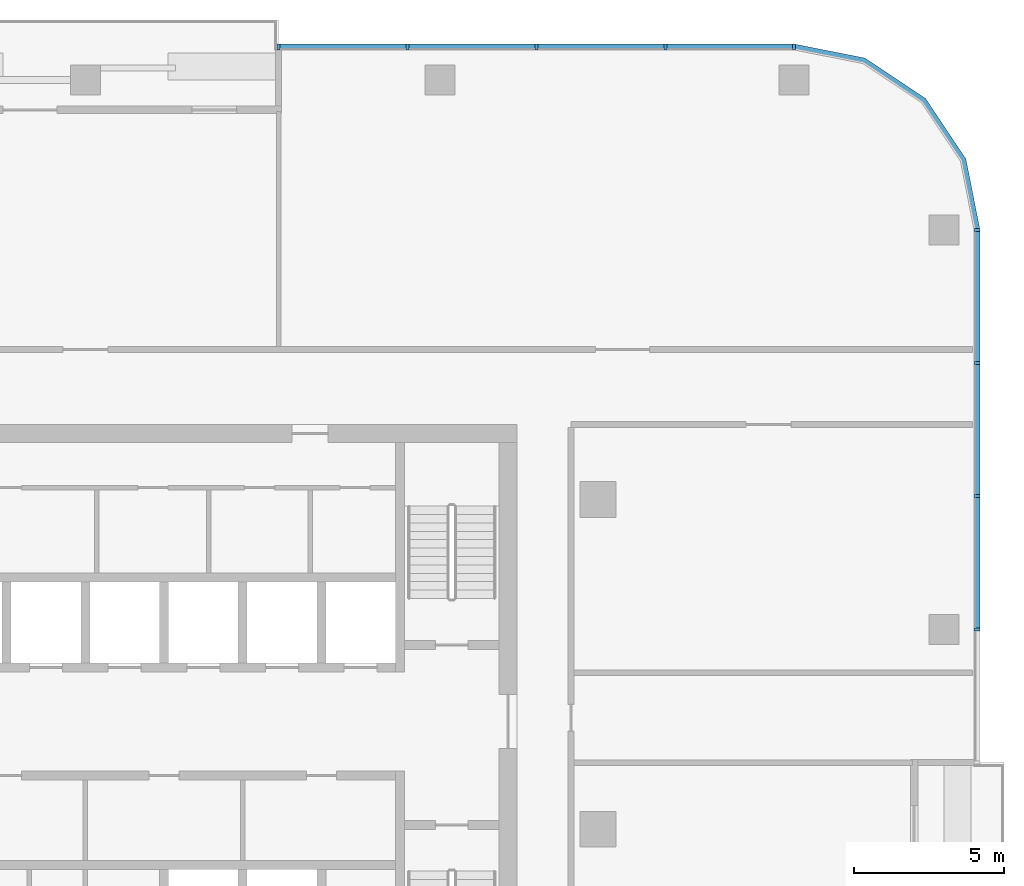
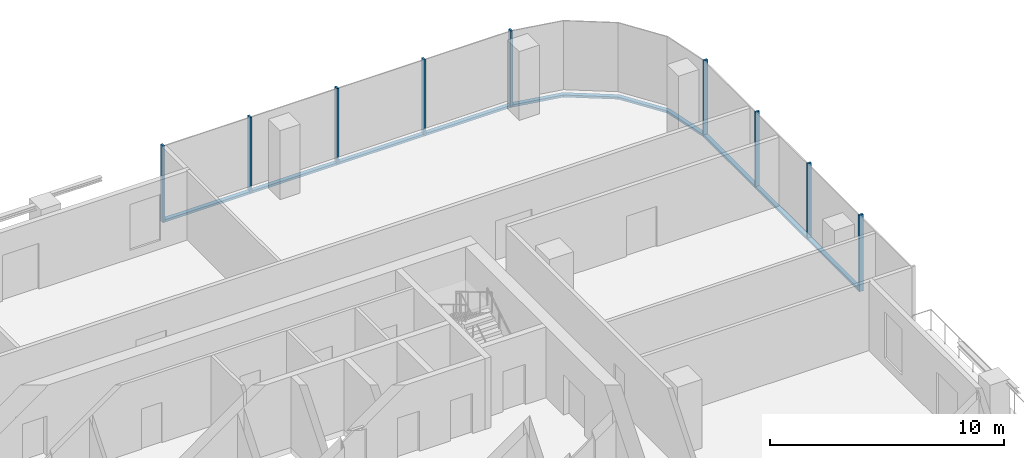
# One storey, part 5 of 13: 17 members, 3 elements without a shape of their own.
"""IFC4 building model written with IfcOpenShell, lengths in metres."""

import ifcopenshell
import ifcopenshell.guid

model = None  # the IFC model being written
_history = None  # IfcOwnerHistory: only IFC2X3 demands one
_inside = {}  # id of a spatial element -> (the spatial element, [elements in it])
_under = {}  # id of a project, library or spatial element -> (it, [spatial elements below it])
_declared = {}  # id of a project -> (the project, [libraries it declares])
_typed = {}  # id of a type object -> (the type object, [elements of that type])
_made_of = {}  # id of a material, layer set ... -> (it, [elements and type objects made of it])


def new_model(schema):
    """Start an empty IFC model of exactly this schema.

    Asked for "IFC4X3", IfcOpenShell would pick the latest addendum, in which some entities
    have other attributes; the version numbers below select the first issue.
    IFC2X3 requires an IfcOwnerHistory on every rooted entity: one is made here for all.
    """
    global model, _history
    if schema == "IFC4X3":
        model = ifcopenshell.file(schema_version=(4, 3, 0, 0))
    else:
        model = ifcopenshell.file(schema=schema)
    _inside.clear()
    _under.clear()
    _declared.clear()
    _typed.clear()
    _made_of.clear()
    _history = None
    if model.schema == "IFC2X3":
        org = make("IfcOrganization", Name="unknown")
        user = make(
            "IfcPersonAndOrganization",
            ThePerson=make("IfcPerson", FamilyName="unknown"),
            TheOrganization=org,
        )
        app = make(
            "IfcApplication",
            ApplicationDeveloper=org,
            Version="unknown",
            ApplicationFullName="unknown",
            ApplicationIdentifier="unknown",
        )
        _history = make(
            "IfcOwnerHistory",
            OwningUser=user,
            OwningApplication=app,
            ChangeAction="ADDED",
            CreationDate=0,
        )
    return model


def make(cls, **values):
    """One entity of the class cls with the attributes given. An attribute that is None is left unset."""
    return model.create_entity(
        cls, **{name: value for name, value in values.items() if value is not None}
    )


def rooted(cls, **values):
    """An entity with a GlobalId (a new one), such as an element, a storey or a relation."""
    return make(cls, GlobalId=ifcopenshell.guid.new(), OwnerHistory=_history, **values)


def si_unit(unit_type, name, prefix=None):
    """IfcSIUnit, for example si_unit("LENGTHUNIT", "METRE", prefix="MILLI")."""
    return make("IfcSIUnit", UnitType=unit_type, Prefix=prefix, Name=name)


def assignment(units):
    """IfcUnitAssignment: the units of a project."""
    return None if units is None else make("IfcUnitAssignment", Units=units)


def point(xyz):
    """IfcCartesianPoint."""
    return None if xyz is None else make("IfcCartesianPoint", Coordinates=xyz)


def direction(xyz):
    """IfcDirection."""
    return None if xyz is None else make("IfcDirection", DirectionRatios=xyz)


def frame(location, z_axis=None, x_axis=None):
    """IfcAxis2Placement3D, a coordinate frame: its origin and axes. An axis left out is left unset."""
    return make(
        "IfcAxis2Placement3D",
        Location=point(location),
        Axis=direction(z_axis),
        RefDirection=direction(x_axis),
    )


def frame_2d(location, x_axis=None):
    """IfcAxis2Placement2D, a coordinate frame in the plane: its origin and x axis."""
    return make(
        "IfcAxis2Placement2D", Location=point(location), RefDirection=direction(x_axis)
    )


def origin():
    """The frame at (0, 0, 0) with its axes left unset."""
    return frame((0.0, 0.0, 0.0))


def origin_2d():
    """The frame at (0, 0) in the plane with its x axis left unset."""
    return frame_2d((0.0, 0.0))


def place(relative_to, where):
    """IfcLocalPlacement: puts the frame where relative to a parent placement (None: the world)."""
    return make(
        "IfcLocalPlacement", PlacementRelTo=relative_to, RelativePlacement=where
    )


def context(
    kind, dimensions, precision=None, world=None, true_north=None, identifier=None
):
    """IfcGeometricRepresentationContext, for example the 3D "Model" context."""
    return make(
        "IfcGeometricRepresentationContext",
        ContextIdentifier=identifier,
        ContextType=kind,
        CoordinateSpaceDimension=dimensions,
        Precision=precision,
        WorldCoordinateSystem=world,
        TrueNorth=true_north,
    )


def subcontext(parent, identifier, kind, view, scale=None):
    """IfcGeometricRepresentationSubContext, for example "Body" below "Model"."""
    return make(
        "IfcGeometricRepresentationSubContext",
        ContextIdentifier=identifier,
        ContextType=kind,
        ParentContext=parent,
        TargetScale=scale,
        TargetView=view,
    )


def project(units=None, contexts=None):
    """IfcProject with its units and contexts."""
    return rooted(
        "IfcProject",
        Name="project",
        RepresentationContexts=contexts,
        UnitsInContext=assignment(units),
    )


def spatial(cls, under=None, at=None, **own):
    """A site, building, storey or space (cls), placed at a placement, below another one or the project."""
    s = rooted(cls, ObjectPlacement=at, **own)
    if under is not None:
        _under.setdefault(under.id(), (under, []))[1].append(s)
    return s


def polyline(points):
    """IfcPolyline through the points."""
    return make("IfcPolyline", Points=[point(p) for p in points])


def profile(cls, at=None, kind="AREA", **sizes):
    """A parametric profile (cls). Its sizes go by their IFC names, for example OverallWidth=200.0."""
    return make(cls, ProfileType=kind, Position=at, **sizes)


def rectangle(**sizes):
    """IfcRectangleProfileDef."""
    return profile("IfcRectangleProfileDef", **sizes)


def outline(outer, holes=None, kind="AREA"):
    """IfcArbitraryClosedProfileDef: a profile drawn as a closed curve; with holes, ...WithVoids."""
    if holes is None:
        return make("IfcArbitraryClosedProfileDef", ProfileType=kind, OuterCurve=outer)
    return make(
        "IfcArbitraryProfileDefWithVoids",
        ProfileType=kind,
        OuterCurve=outer,
        InnerCurves=holes,
    )


def extrude(swept, where, along, depth):
    """IfcExtrudedAreaSolid: the profile swept, set in the frame where, extruded along a direction by depth."""
    return make(
        "IfcExtrudedAreaSolid",
        SweptArea=swept,
        Position=where,
        ExtrudedDirection=direction(along),
        Depth=depth,
    )


def shape(context_of_items, identifier, shape_type, items):
    """IfcShapeRepresentation: the items that make up one representation, for example the "Body"."""
    return make(
        "IfcShapeRepresentation",
        ContextOfItems=context_of_items,
        RepresentationIdentifier=identifier,
        RepresentationType=shape_type,
        Items=items,
    )


def material(Name=None, Category=None):
    """IfcMaterial."""
    return make("IfcMaterial", Name=Name, Category=Category)


def material_profile(
    of_material, cross_section, Name=None, Category=None, Priority=None
):
    """IfcMaterialProfile: a cross section and its material."""
    return make(
        "IfcMaterialProfile",
        Name=Name,
        Material=of_material,
        Profile=cross_section,
        Priority=Priority,
        Category=Category,
    )


def profile_set(profiles, Name=None, composite=None):
    """IfcMaterialProfileSet."""
    return make(
        "IfcMaterialProfileSet",
        Name=Name,
        MaterialProfiles=profiles,
        CompositeProfile=composite,
    )


def made_of(thing, what):
    """Note that an element or type object is made of a material, layer set ...; save() writes the relation."""
    if what is not None:
        _made_of.setdefault(what.id(), (what, []))[1].append(thing)
    return thing


def type_object(cls, material=None, **own):
    """A type object (cls), such as IfcWallType, which elements share."""
    return made_of(rooted(cls, **own), material)


def element(
    cls,
    number,
    at=None,
    inside=None,
    cuts=None,
    type_object=None,
    material=None,
    context=None,
    identifier="Body",
    shape_type=None,
    held_by="IfcProductDefinitionShape",
    body=None,
    shapes=None,
    **own,
):
    """One element of the class cls, such as IfcWall. Its Tag is "e" and its number.

    at: its placement. inside: the storey or other place that contains it. cuts: it is an
    opening in that element (IfcRelVoidsElement). A single representation is given by context,
    identifier, shape_type and body (its items); several are given by shapes. held_by: the class
    of the entity that holds the representations. save() writes the other relations.
    """
    e = rooted(cls, Tag="e%d" % number, ObjectPlacement=at, **own)
    if body is not None:
        shapes = [shape(context, identifier, shape_type, body)]
    if shapes is not None:
        e.Representation = make(held_by, Representations=shapes)
    if inside is not None:
        _inside.setdefault(inside.id(), (inside, []))[1].append(e)
    if cuts is not None:
        rooted(
            "IfcRelVoidsElement", RelatingBuildingElement=cuts, RelatedOpeningElement=e
        )
    if type_object is not None:
        _typed.setdefault(type_object.id(), (type_object, []))[1].append(e)
    return made_of(e, material)


def aggregate(whole, parts):
    """IfcRelAggregates: a whole, such as a stair, and the parts it consists of."""
    return rooted("IfcRelAggregates", RelatingObject=whole, RelatedObjects=parts)


def save(model, path):
    """Write the relations noted so far, then the file.

    IfcRelAggregates (storeys below a building ...), IfcRelContainedInSpatialStructure (elements
    in a storey), IfcRelDefinesByType, IfcRelAssociatesMaterial and IfcRelDeclares: one each for
    every whole, place, type object, material and project.
    """
    for whole, parts in _under.values():
        aggregate(whole, parts)
    for where, things in _inside.values():
        rooted(
            "IfcRelContainedInSpatialStructure",
            RelatedElements=things,
            RelatingStructure=where,
        )
    for kind, things in _typed.values():
        rooted("IfcRelDefinesByType", RelatedObjects=things, RelatingType=kind)
    for what, things in _made_of.values():
        rooted("IfcRelAssociatesMaterial", RelatedObjects=things, RelatingMaterial=what)
    for by, libraries in _declared.values():
        rooted("IfcRelDeclares", RelatingContext=by, RelatedDefinitions=libraries)
    model.write(path)


model = new_model("IFC4")

# Units and contexts
model_context = context("Model", 3, precision=1e-05, world=origin(), true_north=direction((0.0, 1.0)))
body_context = subcontext(model_context, "Body", "Model", "MODEL_VIEW")
ifc_project = project(units=[si_unit("LENGTHUNIT", "METRE"), si_unit("AREAUNIT", "SQUARE_METRE"), si_unit("VOLUMEUNIT", "CUBIC_METRE"), si_unit("PLANEANGLEUNIT", "RADIAN"), si_unit("MASSUNIT", "GRAM", prefix="KILO")], contexts=[model_context])

# Site, building, storey
site_placement = place(None, origin())
site = spatial("IfcSite", under=ifc_project, at=site_placement, CompositionType="ELEMENT")
building_placement = place(site_placement, origin())
building = spatial("IfcBuilding", under=site, at=building_placement, Name="Mopane Tessera Tower", CompositionType="ELEMENT")
storey_placement = place(building_placement, frame((0.0, 0.0, 275.39990234375)))
storey = spatial("IfcBuildingStorey", under=building, at=storey_placement, Name="L59", CompositionType="ELEMENT", Elevation=275.39990234375)

# Curtain wall, members
ifc_material_1 = material(Name="Aluminium frame", Category="aluminium")
curtain_wall_type = type_object("IfcCurtainWallType", Name="Unitised curtain wall", PredefinedType="NOTDEFINED", material=ifc_material_1)
curtain_wall_1_placement = place(storey_placement, origin())
curtain_wall_1 = element("IfcCurtainWall", 1, at=curtain_wall_1_placement, inside=storey, type_object=curtain_wall_type, Name="e:cw:L59:E:5", PredefinedType="NOTDEFINED")
ifc_material_2 = material(Name="Aluminium frame", Category="aluminium")
ifc_material_profile_1 = material_profile(ifc_material_2, rectangle(XDim=0.10009765625, YDim=0.199951171875, at=origin_2d()))
ifc_profile_set_1 = profile_set([ifc_material_profile_1], Name="Aluminium frame")
member_type_1 = type_object("IfcMemberType", Name="Aluminium mullion 100 x 200", PredefinedType="MULLION", material=ifc_profile_set_1)
member_1_placement = place(storey_placement, frame((29.75, 6.666748046875, -0.39990234375), z_axis=(0.0, 0.0, 1.0), x_axis=(0.0, 1.0, 0.0)))
member_1 = element("IfcMember", 2, at=member_1_placement, type_object=member_type_1, Name="e:cw:L59:E:5:mu6", PredefinedType="MULLION", context=body_context, shape_type="SweptSolid", body=[
    extrude(rectangle(XDim=0.10009765625, YDim=0.199951171875, at=origin_2d()), origin(), (0.0, 0.0, 1.0), 4.0),
])
member_2_placement = place(storey_placement, frame((29.75, 11.111083984375, -0.39990234375), z_axis=(0.0, 0.0, 1.0), x_axis=(0.0, 1.0, 0.0)))
member_2 = element("IfcMember", 3, at=member_2_placement, type_object=member_type_1, Name="e:cw:L59:E:5:mu7", PredefinedType="MULLION", context=body_context, shape_type="SweptSolid", body=[
    extrude(rectangle(XDim=0.10009765625, YDim=0.199951171875, at=origin_2d()), origin(), (0.0, 0.0, 1.0), 4.0),
])
member_3_placement = place(storey_placement, frame((29.75, 15.5556640625, -0.39990234375), z_axis=(0.0, 0.0, 1.0), x_axis=(0.0, 1.0, 0.0)))
member_3 = element("IfcMember", 4, at=member_3_placement, type_object=member_type_1, Name="e:cw:L59:E:5:mu8", PredefinedType="MULLION", context=body_context, shape_type="SweptSolid", body=[
    extrude(rectangle(XDim=0.10009765625, YDim=0.199951171875, at=origin_2d()), origin(), (0.0, 0.0, 1.0), 4.0),
])
member_4_placement = place(storey_placement, frame((29.75, 20.0, -0.39990234375), z_axis=(0.0, 0.0, 1.0), x_axis=(0.0, 1.0, 0.0)))
member_4 = element("IfcMember", 5, at=member_4_placement, type_object=member_type_1, Name="e:cw:L59:E:5:mu9", PredefinedType="MULLION", context=body_context, shape_type="SweptSolid", body=[
    extrude(rectangle(XDim=0.10009765625, YDim=0.199951171875, at=origin_2d()), origin(), (0.0, 0.0, 1.0), 4.0),
])

curtain_wall_2_placement = place(storey_placement, origin())
curtain_wall_2 = element("IfcCurtainWall", 6, at=curtain_wall_2_placement, inside=storey, type_object=curtain_wall_type, Name="e:cw:L59:N:0", PredefinedType="NOTDEFINED")
member_5_placement = place(storey_placement, frame((23.64990234375, 26.10009765625, -0.39990234375), z_axis=(0.0, 0.0, 1.0), x_axis=(-1.0, 0.0, 0.0)))
member_5 = element("IfcMember", 7, at=member_5_placement, type_object=member_type_1, Name="e:cw:L59:N:0:mu0", PredefinedType="MULLION", context=body_context, shape_type="SweptSolid", body=[
    extrude(rectangle(XDim=0.10009765625, YDim=0.199951171875, at=origin_2d()), origin(), (0.0, 0.0, 1.0), 4.0),
])
member_6_placement = place(storey_placement, frame((19.35009765625, 26.10009765625, -0.39990234375), z_axis=(0.0, 0.0, 1.0), x_axis=(-1.0, 0.0, 0.0)))
member_6 = element("IfcMember", 8, at=member_6_placement, type_object=member_type_1, Name="e:cw:L59:N:0:mu1", PredefinedType="MULLION", context=body_context, shape_type="SweptSolid", body=[
    extrude(rectangle(XDim=0.10009765625, YDim=0.199951171875, at=origin_2d()), origin(), (0.0, 0.0, 1.0), 4.0),
])
member_7_placement = place(storey_placement, frame((15.050048828125, 26.10009765625, -0.39990234375), z_axis=(0.0, 0.0, 1.0), x_axis=(-1.0, 0.0, 0.0)))
member_7 = element("IfcMember", 9, at=member_7_placement, type_object=member_type_1, Name="e:cw:L59:N:0:mu2", PredefinedType="MULLION", context=body_context, shape_type="SweptSolid", body=[
    extrude(rectangle(XDim=0.10009765625, YDim=0.199951171875, at=origin_2d()), origin(), (0.0, 0.0, 1.0), 4.0),
])
member_8_placement = place(storey_placement, frame((10.75, 26.10009765625, -0.39990234375), z_axis=(0.0, 0.0, 1.0), x_axis=(-1.0, 0.0, 0.0)))
member_8 = element("IfcMember", 10, at=member_8_placement, type_object=member_type_1, Name="e:cw:L59:N:0:mu3", PredefinedType="MULLION", context=body_context, shape_type="SweptSolid", body=[
    extrude(rectangle(XDim=0.10009765625, YDim=0.199951171875, at=origin_2d()), origin(), (0.0, 0.0, 1.0), 4.0),
])
member_9_placement = place(storey_placement, frame((6.449951171875, 26.10009765625, -0.39990234375), z_axis=(0.0, 0.0, 1.0), x_axis=(-1.0, 0.0, 0.0)))
member_9 = element("IfcMember", 11, at=member_9_placement, type_object=member_type_1, Name="e:cw:L59:N:0:mu4", PredefinedType="MULLION", context=body_context, shape_type="SweptSolid", body=[
    extrude(rectangle(XDim=0.10009765625, YDim=0.199951171875, at=origin_2d()), origin(), (0.0, 0.0, 1.0), 4.0),
])

# Member
ifc_material_3 = material(Name="Aluminium frame", Category="aluminium")
ifc_material_profile_2 = material_profile(ifc_material_3, rectangle(XDim=0.199951171875, YDim=0.1201171875, at=origin_2d()))
ifc_profile_set_2 = profile_set([ifc_material_profile_2], Name="Aluminium frame")
member_type_2 = type_object("IfcMemberType", Name="Aluminium transom 200 x 120", PredefinedType="USERDEFINED", material=ifc_profile_set_2)
member_10_placement = place(storey_placement, frame((29.75, 6.716552734375, -0.33984375), z_axis=(0.0, 1.0, 0.0), x_axis=(-1.0, 0.0, 0.0)))
member_10 = element("IfcMember", 12, at=member_10_placement, type_object=member_type_2, Name="e:cw:L59:E:5:tr6", ObjectType="TRANSOM", PredefinedType="USERDEFINED", context=body_context, shape_type="SweptSolid", body=[
    extrude(rectangle(XDim=0.199951171875, YDim=0.1201171875, at=origin_2d()), origin(), (0.0, 0.0, 1.0), 4.344482421875),
])

member_11_placement = place(storey_placement, frame((29.75, 11.1611328125, -0.33984375), z_axis=(0.0, 1.0, 0.0), x_axis=(-1.0, 0.0, 0.0)))
member_11 = element("IfcMember", 13, at=member_11_placement, type_object=member_type_2, Name="e:cw:L59:E:5:tr7", ObjectType="TRANSOM", PredefinedType="USERDEFINED", context=body_context, shape_type="SweptSolid", body=[
    extrude(rectangle(XDim=0.199951171875, YDim=0.1201171875, at=origin_2d()), origin(), (0.0, 0.0, 1.0), 4.344482421875),
])

member_12_placement = place(storey_placement, frame((29.75, 15.60546875, -0.33984375), z_axis=(0.0, 1.0, 0.0), x_axis=(-1.0, 0.0, 0.0)))
member_12 = element("IfcMember", 14, at=member_12_placement, type_object=member_type_2, Name="e:cw:L59:E:5:tr8", ObjectType="TRANSOM", PredefinedType="USERDEFINED", context=body_context, shape_type="SweptSolid", body=[
    extrude(rectangle(XDim=0.199951171875, YDim=0.1201171875, at=origin_2d()), origin(), (0.0, 0.0, 1.0), 4.344482421875),
])

aggregate(curtain_wall_1, [member_1, member_2, member_3, member_4, member_10, member_11, member_12])

# Curtain wall, member
curtain_wall_3_placement = place(storey_placement, origin())
curtain_wall_3 = element("IfcCurtainWall", 15, at=curtain_wall_3_placement, inside=storey, type_object=curtain_wall_type, Name="e:cw:L59:CE", PredefinedType="NOTDEFINED")
member_13_placement = place(storey_placement, frame((0.0, 0.0, -0.39990234375)))
member_13 = element("IfcMember", 16, at=member_13_placement, type_object=member_type_2, Name="e:cw:L59:CE:tr", ObjectType="TRANSOM", PredefinedType="USERDEFINED", context=body_context, shape_type="SweptSolid", body=[
    extrude(outline(polyline([(29.64990234375, 20.0), (29.193359375, 22.296142578125), (27.892578125, 24.24267578125), (25.946044921875, 25.543212890625), (23.64990234375, 26.0), (23.64990234375, 26.199951171875), (26.022705078125, 25.72802734375), (28.0341796875, 24.384033203125), (29.378173828125, 22.37255859375), (29.85009765625, 20.0), (29.64990234375, 20.0)])), origin(), (0.0, 0.0, 1.0), 0.1201171875),
])
aggregate(curtain_wall_3, [member_13])

# Member
member_14_placement = place(storey_placement, frame((23.60009765625, 26.10009765625, -0.33984375), z_axis=(-1.0, 0.0, 0.0), x_axis=(0.0, -1.0, 0.0)))
member_14 = element("IfcMember", 17, at=member_14_placement, type_object=member_type_2, Name="e:cw:L59:N:0:tr0", ObjectType="TRANSOM", PredefinedType="USERDEFINED", context=body_context, shape_type="SweptSolid", body=[
    extrude(rectangle(XDim=0.199951171875, YDim=0.1201171875, at=origin_2d()), origin(), (0.0, 0.0, 1.0), 4.2001953125),
])

member_15_placement = place(storey_placement, frame((19.300048828125, 26.10009765625, -0.33984375), z_axis=(-1.0, 0.0, 0.0), x_axis=(0.0, -1.0, 0.0)))
member_15 = element("IfcMember", 18, at=member_15_placement, type_object=member_type_2, Name="e:cw:L59:N:0:tr1", ObjectType="TRANSOM", PredefinedType="USERDEFINED", context=body_context, shape_type="SweptSolid", body=[
    extrude(rectangle(XDim=0.199951171875, YDim=0.1201171875, at=origin_2d()), origin(), (0.0, 0.0, 1.0), 4.199951171875),
])

member_16_placement = place(storey_placement, frame((15.0, 26.10009765625, -0.33984375), z_axis=(-1.0, 0.0, 0.0), x_axis=(0.0, -1.0, 0.0)))
member_16 = element("IfcMember", 19, at=member_16_placement, type_object=member_type_2, Name="e:cw:L59:N:0:tr2", ObjectType="TRANSOM", PredefinedType="USERDEFINED", context=body_context, shape_type="SweptSolid", body=[
    extrude(rectangle(XDim=0.199951171875, YDim=0.1201171875, at=origin_2d()), origin(), (0.0, 0.0, 1.0), 4.199951171875),
])

member_17_placement = place(storey_placement, frame((10.699951171875, 26.10009765625, -0.33984375), z_axis=(-1.0, 0.0, 0.0), x_axis=(0.0, -1.0, 0.0)))
member_17 = element("IfcMember", 20, at=member_17_placement, type_object=member_type_2, Name="e:cw:L59:N:0:tr3", ObjectType="TRANSOM", PredefinedType="USERDEFINED", context=body_context, shape_type="SweptSolid", body=[
    extrude(rectangle(XDim=0.199951171875, YDim=0.1201171875, at=origin_2d()), origin(), (0.0, 0.0, 1.0), 4.199951171875),
])

aggregate(curtain_wall_2, [member_5, member_6, member_7, member_8, member_9, member_14, member_15, member_16, member_17])

save(model, "model.ifc")
